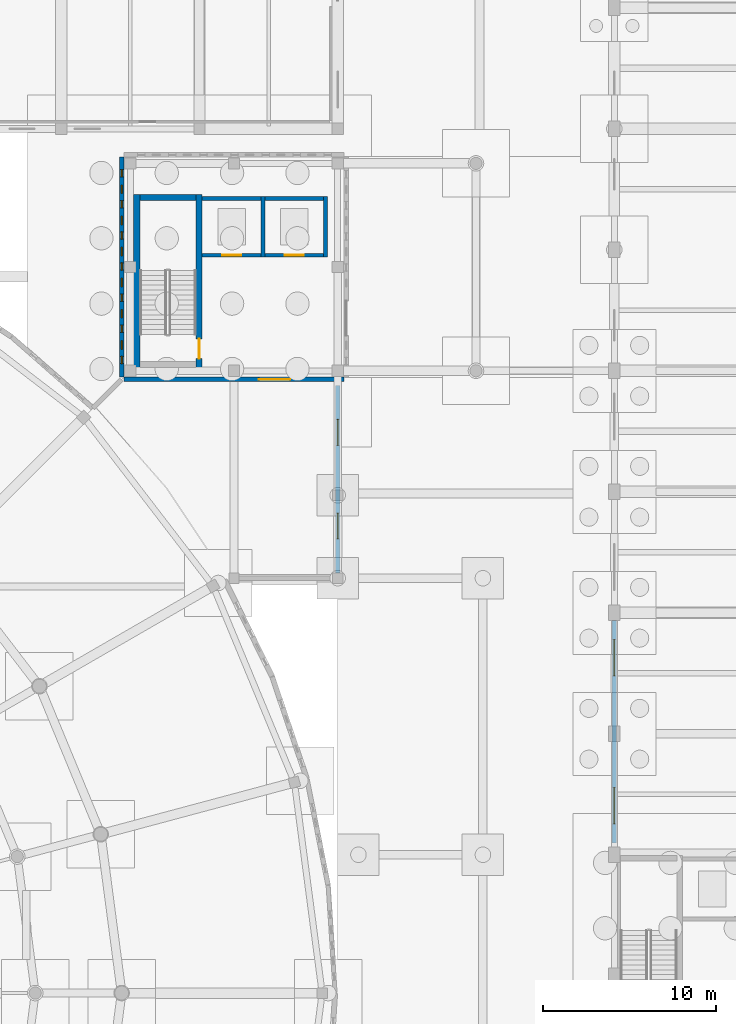
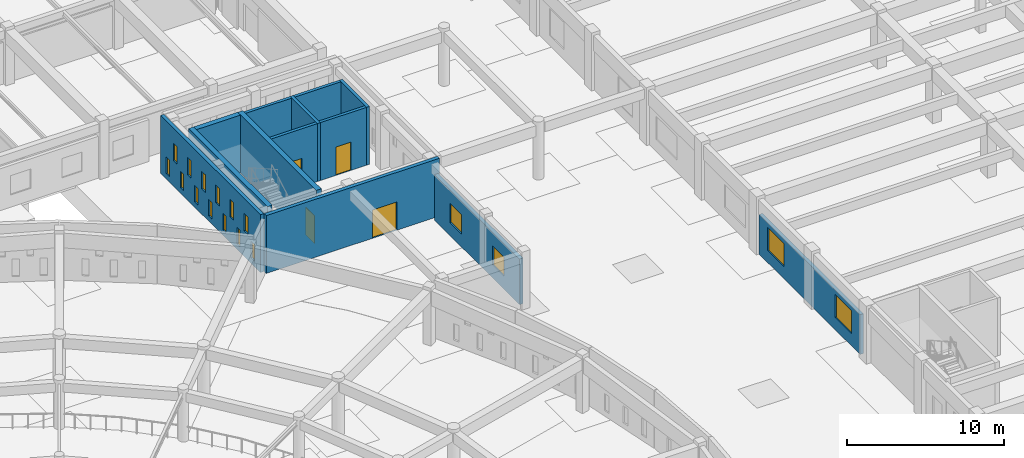
# One storey, part 56 of 84: 17 windows, 13 walls, 4 doors, 21 openings.
"""IFC4 building model written with IfcOpenShell, lengths in metres."""

from ifc_helpers import new_model, si_unit, direction, frame, frame_2d, origin, place, context, subcontext, project, spatial, rectangle, extrude, material, layer, layer_set, type_object, element, fill, save


model = new_model("IFC4")

# Units and contexts
model_context = context("Model", 3, precision=1e-05, world=origin(), true_north=direction((0.0, 1.0)))
body_context = subcontext(model_context, "Body", "Model", "MODEL_VIEW")
ifc_project = project(units=[si_unit("LENGTHUNIT", "METRE"), si_unit("AREAUNIT", "SQUARE_METRE"), si_unit("VOLUMEUNIT", "CUBIC_METRE"), si_unit("PLANEANGLEUNIT", "RADIAN"), si_unit("MASSUNIT", "GRAM", prefix="KILO")], contexts=[model_context])

# Site, building, storey
site_placement = place(None, origin())
site = spatial("IfcSite", under=ifc_project, at=site_placement, CompositionType="ELEMENT")
building_placement = place(site_placement, origin())
building = spatial("IfcBuilding", under=site, at=building_placement, Name="Larkveld Mobility Hub", CompositionType="ELEMENT")
storey_placement = place(building_placement, origin())
storey = spatial("IfcBuildingStorey", under=building, at=storey_placement, Name="L00", CompositionType="ELEMENT", Elevation=0.0)

# Wall, openings, windows
ifc_material_1 = material(Name="Fired clay brick 25 MPa", Category="masonry")
ifc_layer_1 = layer(ifc_material_1, 0.260009765625, Name="Fired clay brick 25 MPa", Category="masonry")
ifc_layer_set_1 = layer_set([ifc_layer_1], Name="Fired clay brick 25 MPa")
wall_type_1 = type_object("IfcWallType", Name="WL-BRK-260", PredefinedType="USERDEFINED", material=ifc_layer_set_1)
wall_1_placement = place(storey_placement, frame((83.5, 96.360107421875, 0.0), z_axis=(0.0, 0.0, 1.0), x_axis=(0.0, -1.0, 0.0)))
wall_1 = element("IfcWall", 1, at=wall_1_placement, inside=storey, type_object=wall_type_1, Name="Square Brick Pavilion W Wall L00-0140", ObjectType="PERFORATED BRICK SCREEN", PredefinedType="USERDEFINED", context=body_context, shape_type="SweptSolid", body=[
    extrude(rectangle(XDim=12.72021484375, YDim=0.260009765625, at=frame_2d((6.360107421875, 0.0))), origin(), (0.0, 0.0, 1.0), 4.5),
])
opening_1_placement = place(wall_1_placement, frame((0.719970703125, 0.0, 0.419921875)))
opening_1 = element("IfcOpeningElement", 2, at=opening_1_placement, cuts=wall_1, Name="Opening W01", PredefinedType="OPENING", context=body_context, shape_type="SweptSolid", body=[
    extrude(rectangle(XDim=0.419921875, YDim=1.280029296875, at=frame_2d((0.2099609375, 0.64013671875))), frame((0.0, 0.14013671875, 0.0), z_axis=(0.0, -1.0, 0.0), x_axis=(1.0, 0.0, 0.0)), (0.0, 0.0, 1.0), 0.280029296875),
])
opening_2_placement = place(wall_1_placement, frame((2.52001953125, 0.0, 0.419921875)))
opening_2 = element("IfcOpeningElement", 3, at=opening_2_placement, cuts=wall_1, Name="Opening W01", PredefinedType="OPENING", context=body_context, shape_type="SweptSolid", body=[
    extrude(rectangle(XDim=0.419921875, YDim=1.280029296875, at=frame_2d((0.2099609375, 0.64013671875))), frame((0.0, 0.14013671875, 0.0), z_axis=(0.0, -1.0, 0.0), x_axis=(1.0, 0.0, 0.0)), (0.0, 0.0, 1.0), 0.280029296875),
])
opening_3_placement = place(wall_1_placement, frame((4.320068359375, 0.0, 0.419921875)))
opening_3 = element("IfcOpeningElement", 4, at=opening_3_placement, cuts=wall_1, Name="Opening W01", PredefinedType="OPENING", context=body_context, shape_type="SweptSolid", body=[
    extrude(rectangle(XDim=0.419921875, YDim=1.280029296875, at=frame_2d((0.2099609375, 0.64013671875))), frame((0.0, 0.14013671875, 0.0), z_axis=(0.0, -1.0, 0.0), x_axis=(1.0, 0.0, 0.0)), (0.0, 0.0, 1.0), 0.280029296875),
])
opening_4_placement = place(wall_1_placement, frame((6.1201171875, 0.0, 0.419921875)))
opening_4 = element("IfcOpeningElement", 5, at=opening_4_placement, cuts=wall_1, Name="Opening W01", PredefinedType="OPENING", context=body_context, shape_type="SweptSolid", body=[
    extrude(rectangle(XDim=0.419921875, YDim=1.280029296875, at=frame_2d((0.2099609375, 0.64013671875))), frame((0.0, 0.14013671875, 0.0), z_axis=(0.0, -1.0, 0.0), x_axis=(1.0, 0.0, 0.0)), (0.0, 0.0, 1.0), 0.280029296875),
])
opening_5_placement = place(wall_1_placement, frame((7.919921875, 0.0, 0.419921875)))
opening_5 = element("IfcOpeningElement", 6, at=opening_5_placement, cuts=wall_1, Name="Opening W01", PredefinedType="OPENING", context=body_context, shape_type="SweptSolid", body=[
    extrude(rectangle(XDim=0.419921875, YDim=1.280029296875, at=frame_2d((0.2099609375, 0.64013671875))), frame((0.0, 0.14013671875, 0.0), z_axis=(0.0, -1.0, 0.0), x_axis=(1.0, 0.0, 0.0)), (0.0, 0.0, 1.0), 0.280029296875),
])
opening_6_placement = place(wall_1_placement, frame((9.719970703125, 0.0, 0.419921875)))
opening_6 = element("IfcOpeningElement", 7, at=opening_6_placement, cuts=wall_1, Name="Opening W01", PredefinedType="OPENING", context=body_context, shape_type="SweptSolid", body=[
    extrude(rectangle(XDim=0.419921875, YDim=1.280029296875, at=frame_2d((0.2099609375, 0.64013671875))), frame((0.0, 0.14013671875, 0.0), z_axis=(0.0, -1.0, 0.0), x_axis=(1.0, 0.0, 0.0)), (0.0, 0.0, 1.0), 0.280029296875),
])
opening_7_placement = place(wall_1_placement, frame((11.52001953125, 0.0, 0.419921875)))
opening_7 = element("IfcOpeningElement", 8, at=opening_7_placement, cuts=wall_1, Name="Opening W01", PredefinedType="OPENING", context=body_context, shape_type="SweptSolid", body=[
    extrude(rectangle(XDim=0.419921875, YDim=1.280029296875, at=frame_2d((0.2099609375, 0.64013671875))), frame((0.0, 0.14013671875, 0.0), z_axis=(0.0, -1.0, 0.0), x_axis=(1.0, 0.0, 0.0)), (0.0, 0.0, 1.0), 0.280029296875),
])
opening_8_placement = place(wall_1_placement, frame((1.6201171875, 0.0, 1.97998046875)))
opening_8 = element("IfcOpeningElement", 9, at=opening_8_placement, cuts=wall_1, Name="Opening W03", PredefinedType="OPENING", context=body_context, shape_type="SweptSolid", body=[
    extrude(rectangle(XDim=0.47998046875, YDim=1.360107421875, at=frame_2d((0.239990234375, 0.68017578125))), frame((0.0, 0.14013671875, 0.0), z_axis=(0.0, -1.0, 0.0), x_axis=(1.0, 0.0, 0.0)), (0.0, 0.0, 1.0), 0.280029296875),
])
opening_9_placement = place(wall_1_placement, frame((3.419921875, 0.0, 1.97998046875)))
opening_9 = element("IfcOpeningElement", 10, at=opening_9_placement, cuts=wall_1, Name="Opening W03", PredefinedType="OPENING", context=body_context, shape_type="SweptSolid", body=[
    extrude(rectangle(XDim=0.47998046875, YDim=1.360107421875, at=frame_2d((0.239990234375, 0.68017578125))), frame((0.0, 0.14013671875, 0.0), z_axis=(0.0, -1.0, 0.0), x_axis=(1.0, 0.0, 0.0)), (0.0, 0.0, 1.0), 0.280029296875),
])
opening_10_placement = place(wall_1_placement, frame((5.219970703125, 0.0, 1.97998046875)))
opening_10 = element("IfcOpeningElement", 11, at=opening_10_placement, cuts=wall_1, Name="Opening W03", PredefinedType="OPENING", context=body_context, shape_type="SweptSolid", body=[
    extrude(rectangle(XDim=0.47998046875, YDim=1.360107421875, at=frame_2d((0.239990234375, 0.68017578125))), frame((0.0, 0.14013671875, 0.0), z_axis=(0.0, -1.0, 0.0), x_axis=(1.0, 0.0, 0.0)), (0.0, 0.0, 1.0), 0.280029296875),
])
opening_11_placement = place(wall_1_placement, frame((7.02001953125, 0.0, 1.97998046875)))
opening_11 = element("IfcOpeningElement", 12, at=opening_11_placement, cuts=wall_1, Name="Opening W03", PredefinedType="OPENING", context=body_context, shape_type="SweptSolid", body=[
    extrude(rectangle(XDim=0.47998046875, YDim=1.360107421875, at=frame_2d((0.239990234375, 0.68017578125))), frame((0.0, 0.14013671875, 0.0), z_axis=(0.0, -1.0, 0.0), x_axis=(1.0, 0.0, 0.0)), (0.0, 0.0, 1.0), 0.280029296875),
])
opening_12_placement = place(wall_1_placement, frame((8.820068359375, 0.0, 1.97998046875)))
opening_12 = element("IfcOpeningElement", 13, at=opening_12_placement, cuts=wall_1, Name="Opening W03", PredefinedType="OPENING", context=body_context, shape_type="SweptSolid", body=[
    extrude(rectangle(XDim=0.47998046875, YDim=1.360107421875, at=frame_2d((0.239990234375, 0.68017578125))), frame((0.0, 0.14013671875, 0.0), z_axis=(0.0, -1.0, 0.0), x_axis=(1.0, 0.0, 0.0)), (0.0, 0.0, 1.0), 0.280029296875),
])
opening_13_placement = place(wall_1_placement, frame((10.6201171875, 0.0, 1.97998046875)))
opening_13 = element("IfcOpeningElement", 14, at=opening_13_placement, cuts=wall_1, Name="Opening W03", PredefinedType="OPENING", context=body_context, shape_type="SweptSolid", body=[
    extrude(rectangle(XDim=0.47998046875, YDim=1.360107421875, at=frame_2d((0.239990234375, 0.68017578125))), frame((0.0, 0.14013671875, 0.0), z_axis=(0.0, -1.0, 0.0), x_axis=(1.0, 0.0, 0.0)), (0.0, 0.0, 1.0), 0.280029296875),
])
ifc_material_2 = material(Name="Extruded aluminium ventilation grille", Category="aluminium")
window_type_1 = type_object("IfcWindowType", Name="WN-VENT-01", PartitioningType="SINGLE_PANEL", PredefinedType="WINDOW", material=ifc_material_2)
window_1_placement = place(opening_1_placement, origin())
window_1 = element("IfcWindow", 15, at=window_1_placement, inside=storey, type_object=window_type_1, Name="Window W01 (0694)", OverallHeight=1.280029296875, OverallWidth=0.419921875, PartitioningType="SINGLE_PANEL", PredefinedType="WINDOW", context=body_context, shape_type="SweptSolid", body=[
    extrude(rectangle(XDim=0.419921875, YDim=1.280029296875, at=frame_2d((0.2099609375, 0.64013671875))), frame((0.0, 0.030029296875, 0.0), z_axis=(0.0, -1.0, 0.0), x_axis=(1.0, 0.0, 0.0)), (0.0, 0.0, 1.0), 0.06005859375),
])
fill(opening_1, window_1)
window_2_placement = place(opening_2_placement, origin())
window_2 = element("IfcWindow", 16, at=window_2_placement, inside=storey, type_object=window_type_1, Name="Window W01 (0695)", OverallHeight=1.280029296875, OverallWidth=0.419921875, PartitioningType="SINGLE_PANEL", PredefinedType="WINDOW", context=body_context, shape_type="SweptSolid", body=[
    extrude(rectangle(XDim=0.419921875, YDim=1.280029296875, at=frame_2d((0.2099609375, 0.64013671875))), frame((0.0, 0.030029296875, 0.0), z_axis=(0.0, -1.0, 0.0), x_axis=(1.0, 0.0, 0.0)), (0.0, 0.0, 1.0), 0.06005859375),
])
fill(opening_2, window_2)
window_3_placement = place(opening_3_placement, origin())
window_3 = element("IfcWindow", 17, at=window_3_placement, inside=storey, type_object=window_type_1, Name="Window W01 (0696)", OverallHeight=1.280029296875, OverallWidth=0.419921875, PartitioningType="SINGLE_PANEL", PredefinedType="WINDOW", context=body_context, shape_type="SweptSolid", body=[
    extrude(rectangle(XDim=0.419921875, YDim=1.280029296875, at=frame_2d((0.2099609375, 0.64013671875))), frame((0.0, 0.030029296875, 0.0), z_axis=(0.0, -1.0, 0.0), x_axis=(1.0, 0.0, 0.0)), (0.0, 0.0, 1.0), 0.06005859375),
])
fill(opening_3, window_3)
window_4_placement = place(opening_4_placement, origin())
window_4 = element("IfcWindow", 18, at=window_4_placement, inside=storey, type_object=window_type_1, Name="Window W01 (0697)", OverallHeight=1.280029296875, OverallWidth=0.419921875, PartitioningType="SINGLE_PANEL", PredefinedType="WINDOW", context=body_context, shape_type="SweptSolid", body=[
    extrude(rectangle(XDim=0.419921875, YDim=1.280029296875, at=frame_2d((0.2099609375, 0.64013671875))), frame((0.0, 0.030029296875, 0.0), z_axis=(0.0, -1.0, 0.0), x_axis=(1.0, 0.0, 0.0)), (0.0, 0.0, 1.0), 0.06005859375),
])
fill(opening_4, window_4)
window_5_placement = place(opening_5_placement, origin())
window_5 = element("IfcWindow", 19, at=window_5_placement, inside=storey, type_object=window_type_1, Name="Window W01 (0698)", OverallHeight=1.280029296875, OverallWidth=0.419921875, PartitioningType="SINGLE_PANEL", PredefinedType="WINDOW", context=body_context, shape_type="SweptSolid", body=[
    extrude(rectangle(XDim=0.419921875, YDim=1.280029296875, at=frame_2d((0.2099609375, 0.64013671875))), frame((0.0, 0.030029296875, 0.0), z_axis=(0.0, -1.0, 0.0), x_axis=(1.0, 0.0, 0.0)), (0.0, 0.0, 1.0), 0.06005859375),
])
fill(opening_5, window_5)
window_6_placement = place(opening_6_placement, origin())
window_6 = element("IfcWindow", 20, at=window_6_placement, inside=storey, type_object=window_type_1, Name="Window W01 (0699)", OverallHeight=1.280029296875, OverallWidth=0.419921875, PartitioningType="SINGLE_PANEL", PredefinedType="WINDOW", context=body_context, shape_type="SweptSolid", body=[
    extrude(rectangle(XDim=0.419921875, YDim=1.280029296875, at=frame_2d((0.2099609375, 0.64013671875))), frame((0.0, 0.030029296875, 0.0), z_axis=(0.0, -1.0, 0.0), x_axis=(1.0, 0.0, 0.0)), (0.0, 0.0, 1.0), 0.06005859375),
])
fill(opening_6, window_6)
window_7_placement = place(opening_7_placement, origin())
window_7 = element("IfcWindow", 21, at=window_7_placement, inside=storey, type_object=window_type_1, Name="Window W01 (0700)", OverallHeight=1.280029296875, OverallWidth=0.419921875, PartitioningType="SINGLE_PANEL", PredefinedType="WINDOW", context=body_context, shape_type="SweptSolid", body=[
    extrude(rectangle(XDim=0.419921875, YDim=1.280029296875, at=frame_2d((0.2099609375, 0.64013671875))), frame((0.0, 0.030029296875, 0.0), z_axis=(0.0, -1.0, 0.0), x_axis=(1.0, 0.0, 0.0)), (0.0, 0.0, 1.0), 0.06005859375),
])
fill(opening_7, window_7)
window_type_2 = type_object("IfcWindowType", Name="WN-VENT-03", PartitioningType="SINGLE_PANEL", PredefinedType="WINDOW", material=ifc_material_2)
window_8_placement = place(opening_8_placement, origin())
window_8 = element("IfcWindow", 22, at=window_8_placement, inside=storey, type_object=window_type_2, Name="Window W03 (0701)", OverallHeight=1.360107421875, OverallWidth=0.47998046875, PartitioningType="SINGLE_PANEL", PredefinedType="WINDOW", context=body_context, shape_type="SweptSolid", body=[
    extrude(rectangle(XDim=0.47998046875, YDim=1.360107421875, at=frame_2d((0.239990234375, 0.68017578125))), frame((0.0, 0.030029296875, 0.0), z_axis=(0.0, -1.0, 0.0), x_axis=(1.0, 0.0, 0.0)), (0.0, 0.0, 1.0), 0.06005859375),
])
fill(opening_8, window_8)
window_9_placement = place(opening_9_placement, origin())
window_9 = element("IfcWindow", 23, at=window_9_placement, inside=storey, type_object=window_type_2, Name="Window W03 (0702)", OverallHeight=1.360107421875, OverallWidth=0.47998046875, PartitioningType="SINGLE_PANEL", PredefinedType="WINDOW", context=body_context, shape_type="SweptSolid", body=[
    extrude(rectangle(XDim=0.47998046875, YDim=1.360107421875, at=frame_2d((0.239990234375, 0.68017578125))), frame((0.0, 0.030029296875, 0.0), z_axis=(0.0, -1.0, 0.0), x_axis=(1.0, 0.0, 0.0)), (0.0, 0.0, 1.0), 0.06005859375),
])
fill(opening_9, window_9)
window_10_placement = place(opening_10_placement, origin())
window_10 = element("IfcWindow", 24, at=window_10_placement, inside=storey, type_object=window_type_2, Name="Window W03 (0703)", OverallHeight=1.360107421875, OverallWidth=0.47998046875, PartitioningType="SINGLE_PANEL", PredefinedType="WINDOW", context=body_context, shape_type="SweptSolid", body=[
    extrude(rectangle(XDim=0.47998046875, YDim=1.360107421875, at=frame_2d((0.239990234375, 0.68017578125))), frame((0.0, 0.030029296875, 0.0), z_axis=(0.0, -1.0, 0.0), x_axis=(1.0, 0.0, 0.0)), (0.0, 0.0, 1.0), 0.06005859375),
])
fill(opening_10, window_10)
window_11_placement = place(opening_11_placement, origin())
window_11 = element("IfcWindow", 25, at=window_11_placement, inside=storey, type_object=window_type_2, Name="Window W03 (0704)", OverallHeight=1.360107421875, OverallWidth=0.47998046875, PartitioningType="SINGLE_PANEL", PredefinedType="WINDOW", context=body_context, shape_type="SweptSolid", body=[
    extrude(rectangle(XDim=0.47998046875, YDim=1.360107421875, at=frame_2d((0.239990234375, 0.68017578125))), frame((0.0, 0.030029296875, 0.0), z_axis=(0.0, -1.0, 0.0), x_axis=(1.0, 0.0, 0.0)), (0.0, 0.0, 1.0), 0.06005859375),
])
fill(opening_11, window_11)
window_12_placement = place(opening_12_placement, origin())
window_12 = element("IfcWindow", 26, at=window_12_placement, inside=storey, type_object=window_type_2, Name="Window W03 (0705)", OverallHeight=1.360107421875, OverallWidth=0.47998046875, PartitioningType="SINGLE_PANEL", PredefinedType="WINDOW", context=body_context, shape_type="SweptSolid", body=[
    extrude(rectangle(XDim=0.47998046875, YDim=1.360107421875, at=frame_2d((0.239990234375, 0.68017578125))), frame((0.0, 0.030029296875, 0.0), z_axis=(0.0, -1.0, 0.0), x_axis=(1.0, 0.0, 0.0)), (0.0, 0.0, 1.0), 0.06005859375),
])
fill(opening_12, window_12)
window_13_placement = place(opening_13_placement, origin())
window_13 = element("IfcWindow", 27, at=window_13_placement, inside=storey, type_object=window_type_2, Name="Window W03 (0706)", OverallHeight=1.360107421875, OverallWidth=0.47998046875, PartitioningType="SINGLE_PANEL", PredefinedType="WINDOW", context=body_context, shape_type="SweptSolid", body=[
    extrude(rectangle(XDim=0.47998046875, YDim=1.360107421875, at=frame_2d((0.239990234375, 0.68017578125))), frame((0.0, 0.030029296875, 0.0), z_axis=(0.0, -1.0, 0.0), x_axis=(1.0, 0.0, 0.0)), (0.0, 0.0, 1.0), 0.06005859375),
])
fill(opening_13, window_13)

wall_2_placement = place(storey_placement, frame((96.0, 72.31005859375, 0.0), z_axis=(0.0, 0.0, 1.0), x_axis=(0.0, 1.0, 0.0)))
wall_2 = element("IfcWall", 28, at=wall_2_placement, inside=storey, type_object=wall_type_1, Name="Drum Link East Wall L00-0158", ObjectType="PERFORATED BRICK SCREEN", PredefinedType="USERDEFINED", context=body_context, shape_type="SweptSolid", body=[
    extrude(rectangle(XDim=10.8349609375, YDim=0.260009765625, at=frame_2d((5.41748046875, 0.0))), origin(), (0.0, 0.0, 1.0), 3.544921875),
])
opening_14_placement = place(wall_2_placement, frame((1.958984375, 0.0, 1.0)))
opening_14 = element("IfcOpeningElement", 29, at=opening_14_placement, cuts=wall_2, Name="Opening W06", PredefinedType="OPENING", context=body_context, shape_type="SweptSolid", body=[
    extrude(rectangle(XDim=1.5, YDim=1.5, at=frame_2d((0.75, 0.75))), frame((0.0, 0.14013671875, 0.0), z_axis=(0.0, -1.0, 0.0), x_axis=(1.0, 0.0, 0.0)), (0.0, 0.0, 1.0), 0.280029296875),
])
opening_15_placement = place(wall_2_placement, frame((7.3759765625, 0.0, 1.0)))
opening_15 = element("IfcOpeningElement", 30, at=opening_15_placement, cuts=wall_2, Name="Opening W06", PredefinedType="OPENING", context=body_context, shape_type="SweptSolid", body=[
    extrude(rectangle(XDim=1.5, YDim=1.5, at=frame_2d((0.75, 0.75))), frame((0.0, 0.14013671875, 0.0), z_axis=(0.0, -1.0, 0.0), x_axis=(1.0, 0.0, 0.0)), (0.0, 0.0, 1.0), 0.280029296875),
])
ifc_material_3 = material(Name="Low-E double glazing in aluminium frame", Category="aluminium")
window_type_3 = type_object("IfcWindowType", Name="WN-ALU-06", PartitioningType="SINGLE_PANEL", PredefinedType="WINDOW", material=ifc_material_3)
window_14_placement = place(opening_14_placement, origin())
window_14 = element("IfcWindow", 31, at=window_14_placement, inside=storey, type_object=window_type_3, Name="Window W06 (0818)", OverallHeight=1.5, OverallWidth=1.5, PartitioningType="SINGLE_PANEL", PredefinedType="WINDOW", context=body_context, shape_type="SweptSolid", body=[
    extrude(rectangle(XDim=1.5, YDim=1.5, at=frame_2d((0.75, 0.75))), frame((0.0, 0.030029296875, 0.0), z_axis=(0.0, -1.0, 0.0), x_axis=(1.0, 0.0, 0.0)), (0.0, 0.0, 1.0), 0.06005859375),
])
fill(opening_14, window_14)
window_15_placement = place(opening_15_placement, origin())
window_15 = element("IfcWindow", 32, at=window_15_placement, inside=storey, type_object=window_type_3, Name="Window W06 (0819)", OverallHeight=1.5, OverallWidth=1.5, PartitioningType="SINGLE_PANEL", PredefinedType="WINDOW", context=body_context, shape_type="SweptSolid", body=[
    extrude(rectangle(XDim=1.5, YDim=1.5, at=frame_2d((0.75, 0.75))), frame((0.0, 0.030029296875, 0.0), z_axis=(0.0, -1.0, 0.0), x_axis=(1.0, 0.0, 0.0)), (0.0, 0.0, 1.0), 0.06005859375),
])
fill(opening_15, window_15)

# Wall, opening, door
ifc_layer_2 = layer(ifc_material_1, 0.264892578125, Name="Fired clay brick 25 MPa", Category="masonry")
ifc_layer_set_2 = layer_set([ifc_layer_2], Name="Fired clay brick 25 MPa")
wall_type_2 = type_object("IfcWallType", Name="WL-BRK-265", PredefinedType="USERDEFINED", material=ifc_layer_set_2)
wall_3_placement = place(storey_placement, frame((83.639892578125, 83.5, 0.0), z_axis=(0.0, 0.0, 1.0), x_axis=(1.0, 0.0, 0.0)))
wall_3 = element("IfcWall", 33, at=wall_3_placement, inside=storey, type_object=wall_type_2, Name="Square Brick Pavilion S Wall L00-0141", ObjectType="PERFORATED BRICK SCREEN", PredefinedType="USERDEFINED", context=body_context, shape_type="SweptSolid", body=[
    extrude(rectangle(XDim=12.72021484375, YDim=0.264892578125, at=frame_2d((6.360107421875, 0.0))), origin(), (0.0, 0.0, 1.0), 4.5),
])
opening_16_placement = place(wall_3_placement, frame((7.800048828125, 0.0, 0.0)))
opening_16 = element("IfcOpeningElement", 34, at=opening_16_placement, cuts=wall_3, Name="Opening DL01", PredefinedType="OPENING", context=body_context, shape_type="SweptSolid", body=[
    extrude(rectangle(XDim=1.800048828125, YDim=2.199951171875, at=frame_2d((0.89990234375, 1.10009765625))), frame((0.0, 0.142578125, 0.0), z_axis=(0.0, -1.0, 0.0), x_axis=(1.0, 0.0, 0.0)), (0.0, 0.0, 1.0), 0.284912109375),
])
ifc_material_4 = material(Name="Pressed Steel S355JR glazed fire door assembly", Category="steel")
door_type_1 = type_object("IfcDoorType", Name="DR-LNK-DB18", OperationType="DOUBLE_DOOR_SINGLE_SWING", PredefinedType="DOOR", material=ifc_material_4)
door_1_placement = place(opening_16_placement, origin())
door_1 = element("IfcDoor", 35, at=door_1_placement, inside=storey, type_object=door_type_1, Name="Drum Pavilion Link Lobby Door L00-001", OperationType="DOUBLE_DOOR_SINGLE_SWING", OverallHeight=2.199951171875, OverallWidth=1.800048828125, PredefinedType="DOOR", context=body_context, shape_type="SweptSolid", body=[
    extrude(rectangle(XDim=1.800048828125, YDim=2.199951171875, at=frame_2d((0.89990234375, 1.10009765625))), frame((0.0, 0.02490234375, 0.0), z_axis=(0.0, -1.0, 0.0), x_axis=(1.0, 0.0, 0.0)), (0.0, 0.0, 1.0), 0.050048828125),
])
fill(opening_16, door_1)

# Wall, openings, windows
ifc_material_5 = material(Name="Glazed architectural ceramic masonry 20 MPa", Category="masonry")
ifc_layer_3 = layer(ifc_material_5, 0.2451171875, Name="Glazed architectural ceramic masonry 20 MPa", Category="masonry")
ifc_layer_set_3 = layer_set([ifc_layer_3], Name="Glazed architectural ceramic masonry 20 MPa")
wall_type_3 = type_object("IfcWallType", Name="WL-COB-245", PredefinedType="USERDEFINED", material=ifc_layer_set_3)
wall_4_placement = place(storey_placement, frame((112.0, 69.5400390625, 0.0), z_axis=(0.0, 0.0, 1.0), x_axis=(0.0, -1.0, 0.0)))
wall_4 = element("IfcWall", 36, at=wall_4_placement, inside=storey, type_object=wall_type_3, Name="EV Wing West Ventilated Facade L00-0217", ObjectType="CERAMIC COBOGO SCREEN", PredefinedType="USERDEFINED", context=body_context, shape_type="SweptSolid", body=[
    extrude(rectangle(XDim=12.85009765625, YDim=0.2451171875, at=frame_2d((6.425048828125, 0.0))), origin(), (0.0, 0.0, 1.0), 3.094970703125),
])
opening_17_placement = place(wall_4_placement, frame((1.092041015625, 0.0, 0.949951171875)))
opening_17 = element("IfcOpeningElement", 37, at=opening_17_placement, cuts=wall_4, Name="Opening W13", PredefinedType="OPENING", context=body_context, shape_type="SweptSolid", body=[
    extrude(rectangle(XDim=2.10009765625, YDim=1.800048828125, at=frame_2d((1.050048828125, 0.89990234375))), frame((0.0, 0.132568359375, 0.0), z_axis=(0.0, -1.0, 0.0), x_axis=(1.0, 0.0, 0.0)), (0.0, 0.0, 1.0), 0.26513671875),
])
opening_18_placement = place(wall_4_placement, frame((9.657958984375, 0.0, 0.949951171875)))
opening_18 = element("IfcOpeningElement", 38, at=opening_18_placement, cuts=wall_4, Name="Opening W13", PredefinedType="OPENING", context=body_context, shape_type="SweptSolid", body=[
    extrude(rectangle(XDim=2.10009765625, YDim=1.800048828125, at=frame_2d((1.050048828125, 0.89990234375))), frame((0.0, 0.132568359375, 0.0), z_axis=(0.0, -1.0, 0.0), x_axis=(1.0, 0.0, 0.0)), (0.0, 0.0, 1.0), 0.26513671875),
])
window_type_4 = type_object("IfcWindowType", Name="WN-ALU-13", PartitioningType="SINGLE_PANEL", PredefinedType="WINDOW", material=ifc_material_3)
window_16_placement = place(opening_17_placement, origin())
window_16 = element("IfcWindow", 39, at=window_16_placement, inside=storey, type_object=window_type_4, Name="Window W13 (1015)", OverallHeight=1.800048828125, OverallWidth=2.10009765625, PartitioningType="SINGLE_PANEL", PredefinedType="WINDOW", context=body_context, shape_type="SweptSolid", body=[
    extrude(rectangle(XDim=2.10009765625, YDim=1.800048828125, at=frame_2d((1.050048828125, 0.89990234375))), frame((0.0, 0.030029296875, 0.0), z_axis=(0.0, -1.0, 0.0), x_axis=(1.0, 0.0, 0.0)), (0.0, 0.0, 1.0), 0.06005859375),
])
fill(opening_17, window_16)
window_17_placement = place(opening_18_placement, origin())
window_17 = element("IfcWindow", 40, at=window_17_placement, inside=storey, type_object=window_type_4, Name="Window W13 (1016)", OverallHeight=1.800048828125, OverallWidth=2.10009765625, PartitioningType="SINGLE_PANEL", PredefinedType="WINDOW", context=body_context, shape_type="SweptSolid", body=[
    extrude(rectangle(XDim=2.10009765625, YDim=1.800048828125, at=frame_2d((1.050048828125, 0.89990234375))), frame((0.0, 0.030029296875, 0.0), z_axis=(0.0, -1.0, 0.0), x_axis=(1.0, 0.0, 0.0)), (0.0, 0.0, 1.0), 0.06005859375),
])
fill(opening_18, window_17)

# Wall
ifc_material_6 = material(Name="Concrete C40/50", Category="concrete")
ifc_layer_4 = layer(ifc_material_6, 0.219970703125, Name="Concrete C40/50", Category="concrete")
ifc_layer_set_4 = layer_set([ifc_layer_4], Name="Concrete C40/50")
wall_type_4 = type_object("IfcWallType", Name="WL-SHF-220", PredefinedType="SHEAR", material=ifc_layer_set_4)
wall_5_placement = place(storey_placement, frame((91.669921875, 94.070068359375, 0.0), z_axis=(0.0, 0.0, 1.0), x_axis=(0.0, -1.0, 0.0)))
element("IfcWall", 41, at=wall_5_placement, inside=storey, type_object=wall_type_4, Name="Lift PL3 Shaft Wall L00-E", PredefinedType="SHEAR", context=body_context, shape_type="SweptSolid", body=[
    extrude(rectangle(XDim=3.489990234375, YDim=0.219970703125, at=frame_2d((1.7451171875, 0.0))), origin(), (0.0, 0.0, 1.0), 4.5),
])

# Wall, opening, door
wall_6_placement = place(storey_placement, frame((91.56005859375, 90.68994140625, 0.0), z_axis=(0.0, 0.0, 1.0), x_axis=(-1.0, 0.0, 0.0)))
wall_6 = element("IfcWall", 42, at=wall_6_placement, inside=storey, type_object=wall_type_4, Name="Lift PL3 Shaft Wall L00-S", PredefinedType="SHEAR", context=body_context, shape_type="SweptSolid", body=[
    extrude(rectangle(XDim=3.400146484375, YDim=0.219970703125, at=frame_2d((1.7001953125, 0.0))), origin(), (0.0, 0.0, 1.0), 4.5),
])
opening_19_placement = place(wall_6_placement, frame((1.14990234375, 0.0, 0.0)))
opening_19 = element("IfcOpeningElement", 43, at=opening_19_placement, cuts=wall_6, Name="Opening LD01", PredefinedType="OPENING", context=body_context, shape_type="SweptSolid", body=[
    extrude(rectangle(XDim=1.10009765625, YDim=2.199951171875, at=frame_2d((0.550048828125, 1.10009765625))), frame((0.0, 0.1201171875, 0.0), z_axis=(0.0, -1.0, 0.0), x_axis=(1.0, 0.0, 0.0)), (0.0, 0.0, 1.0), 0.239990234375),
])
ifc_material_7 = material(Name="Brushed stainless Steel S355JR sliding landing door", Category="steel")
door_type_2 = type_object("IfcDoorType", Name="DR-LD-110", OperationType="DOUBLE_DOOR_SLIDING", PredefinedType="DOOR", material=ifc_material_7)
door_2_placement = place(opening_19_placement, origin())
door_2 = element("IfcDoor", 44, at=door_2_placement, inside=storey, type_object=door_type_2, Name="Lift landing door PL3-L00", OperationType="DOUBLE_DOOR_SLIDING", OverallHeight=2.199951171875, OverallWidth=1.10009765625, PredefinedType="DOOR", context=body_context, shape_type="SweptSolid", body=[
    extrude(rectangle(XDim=1.10009765625, YDim=2.199951171875, at=frame_2d((0.550048828125, 1.10009765625))), frame((0.0, 0.02490234375, 0.0), z_axis=(0.0, -1.0, 0.0), x_axis=(1.0, 0.0, 0.0)), (0.0, 0.0, 1.0), 0.050048828125),
])
fill(opening_19, door_2)

# Walls
wall_7_placement = place(storey_placement, frame((88.159912109375, 93.9599609375, 0.0), z_axis=(0.0, 0.0, 1.0), x_axis=(1.0, 0.0, 0.0)))
element("IfcWall", 45, at=wall_7_placement, inside=storey, type_object=wall_type_4, Name="Lift PL3 Shaft Wall L00-N", PredefinedType="SHEAR", context=body_context, shape_type="SweptSolid", body=[
    extrude(rectangle(XDim=3.400146484375, YDim=0.219970703125, at=frame_2d((1.7001953125, 0.0))), origin(), (0.0, 0.0, 1.0), 4.5),
])
wall_8_placement = place(storey_placement, frame((95.2900390625, 94.070068359375, 0.0), z_axis=(0.0, 0.0, 1.0), x_axis=(0.0, -1.0, 0.0)))
element("IfcWall", 46, at=wall_8_placement, inside=storey, type_object=wall_type_4, Name="Lift PL4 Shaft Wall L00-E", PredefinedType="SHEAR", context=body_context, shape_type="SweptSolid", body=[
    extrude(rectangle(XDim=3.489990234375, YDim=0.219970703125, at=frame_2d((1.7451171875, 0.0))), origin(), (0.0, 0.0, 1.0), 4.5),
])

# Wall, opening, door
wall_9_placement = place(storey_placement, frame((95.179931640625, 90.68994140625, 0.0), z_axis=(0.0, 0.0, 1.0), x_axis=(-1.0, 0.0, 0.0)))
wall_9 = element("IfcWall", 47, at=wall_9_placement, inside=storey, type_object=wall_type_4, Name="Lift PL4 Shaft Wall L00-S", PredefinedType="SHEAR", context=body_context, shape_type="SweptSolid", body=[
    extrude(rectangle(XDim=3.39990234375, YDim=0.219970703125, at=frame_2d((1.699951171875, 0.0))), origin(), (0.0, 0.0, 1.0), 4.5),
])
opening_20_placement = place(wall_9_placement, frame((1.14990234375, 0.0, 0.0)))
opening_20 = element("IfcOpeningElement", 48, at=opening_20_placement, cuts=wall_9, Name="Opening LD01", PredefinedType="OPENING", context=body_context, shape_type="SweptSolid", body=[
    extrude(rectangle(XDim=1.10009765625, YDim=2.199951171875, at=frame_2d((0.550048828125, 1.10009765625))), frame((0.0, 0.1201171875, 0.0), z_axis=(0.0, -1.0, 0.0), x_axis=(1.0, 0.0, 0.0)), (0.0, 0.0, 1.0), 0.239990234375),
])
door_3_placement = place(opening_20_placement, origin())
door_3 = element("IfcDoor", 49, at=door_3_placement, inside=storey, type_object=door_type_2, Name="Lift landing door PL4-L00", OperationType="DOUBLE_DOOR_SLIDING", OverallHeight=2.199951171875, OverallWidth=1.10009765625, PredefinedType="DOOR", context=body_context, shape_type="SweptSolid", body=[
    extrude(rectangle(XDim=1.10009765625, YDim=2.199951171875, at=frame_2d((0.550048828125, 1.10009765625))), frame((0.0, 0.02490234375, 0.0), z_axis=(0.0, -1.0, 0.0), x_axis=(1.0, 0.0, 0.0)), (0.0, 0.0, 1.0), 0.050048828125),
])
fill(opening_20, door_3)

# Walls
wall_10_placement = place(storey_placement, frame((91.780029296875, 93.9599609375, 0.0), z_axis=(0.0, 0.0, 1.0), x_axis=(1.0, 0.0, 0.0)))
element("IfcWall", 50, at=wall_10_placement, inside=storey, type_object=wall_type_4, Name="Lift PL4 Shaft Wall L00-N", PredefinedType="SHEAR", context=body_context, shape_type="SweptSolid", body=[
    extrude(rectangle(XDim=3.39990234375, YDim=0.219970703125, at=frame_2d((1.699951171875, 0.0))), origin(), (0.0, 0.0, 1.0), 4.5),
])
ifc_layer_5 = layer(ifc_material_6, 0.360107421875, Name="Concrete C40/50", Category="concrete")
ifc_layer_set_5 = layer_set([ifc_layer_5], Name="Concrete C40/50")
wall_type_5 = type_object("IfcWallType", Name="WL-SHR-05", PredefinedType="SHEAR", material=ifc_layer_set_5)
wall_11_placement = place(storey_placement, frame((84.3701171875, 84.18994140625, 0.0), z_axis=(0.0, 0.0, 1.0), x_axis=(0.0, 1.0, 0.0)))
element("IfcWall", 51, at=wall_11_placement, inside=storey, type_object=wall_type_5, Name="Core C5 Stair Shear Wall L00-W", PredefinedType="SHEAR", context=body_context, shape_type="SweptSolid", body=[
    extrude(rectangle(XDim=10.02001953125, YDim=0.360107421875, at=frame_2d((5.010009765625, 0.0))), origin(), (0.0, 0.0, 1.0), 4.5),
])

# Wall, opening, door
wall_12_placement = place(storey_placement, frame((87.97998046875, 94.2099609375, 0.0), z_axis=(0.0, 0.0, 1.0), x_axis=(0.0, -1.0, 0.0)))
wall_12 = element("IfcWall", 52, at=wall_12_placement, inside=storey, type_object=wall_type_5, Name="Core C5 Stair Shear Wall L00-E", PredefinedType="SHEAR", context=body_context, shape_type="SweptSolid", body=[
    extrude(rectangle(XDim=10.02001953125, YDim=0.360107421875, at=frame_2d((5.010009765625, 0.0))), origin(), (0.0, 0.0, 1.0), 4.5),
])
opening_21_placement = place(wall_12_placement, frame((8.360107421875, 0.0, 0.0)))
opening_21 = element("IfcOpeningElement", 53, at=opening_21_placement, cuts=wall_12, Name="Opening DF01", PredefinedType="OPENING", context=body_context, shape_type="SweptSolid", body=[
    extrude(rectangle(XDim=1.14990234375, YDim=2.14990234375, at=frame_2d((0.574951171875, 1.074951171875))), frame((0.0, 0.18994140625, 0.0), z_axis=(0.0, -1.0, 0.0), x_axis=(1.0, 0.0, 0.0)), (0.0, 0.0, 1.0), 0.380126953125),
])
ifc_material_8 = material(Name="Pressed Steel S355JR fire door assembly", Category="steel")
door_type_3 = type_object("IfcDoorType", Name="DR-FD120", OperationType="NOTDEFINED", PredefinedType="DOOR", material=ifc_material_8)
door_4_placement = place(opening_21_placement, origin())
door_4 = element("IfcDoor", 54, at=door_4_placement, inside=storey, type_object=door_type_3, Name="Stair ST5 Fire Door L00", OperationType="SINGLE_SWING_RIGHT", OverallHeight=2.14990234375, OverallWidth=1.14990234375, PredefinedType="DOOR", context=body_context, shape_type="SweptSolid", body=[
    extrude(rectangle(XDim=1.14990234375, YDim=2.14990234375, at=frame_2d((0.574951171875, 1.074951171875))), frame((0.0, 0.02490234375, 0.0), z_axis=(0.0, -1.0, 0.0), x_axis=(1.0, 0.0, 0.0)), (0.0, 0.0, 1.0), 0.050048828125),
])
fill(opening_21, door_4)

# Wall
wall_13_placement = place(storey_placement, frame((84.550048828125, 94.030029296875, 0.0), z_axis=(0.0, 0.0, 1.0), x_axis=(1.0, 0.0, 0.0)))
element("IfcWall", 55, at=wall_13_placement, inside=storey, type_object=wall_type_5, Name="Core C5 Stair Shear Wall L00-N", PredefinedType="SHEAR", context=body_context, shape_type="SweptSolid", body=[
    extrude(rectangle(XDim=3.25, YDim=0.360107421875, at=frame_2d((1.625, 0.0))), origin(), (0.0, 0.0, 1.0), 4.5),
])

save(model, "model.ifc")
